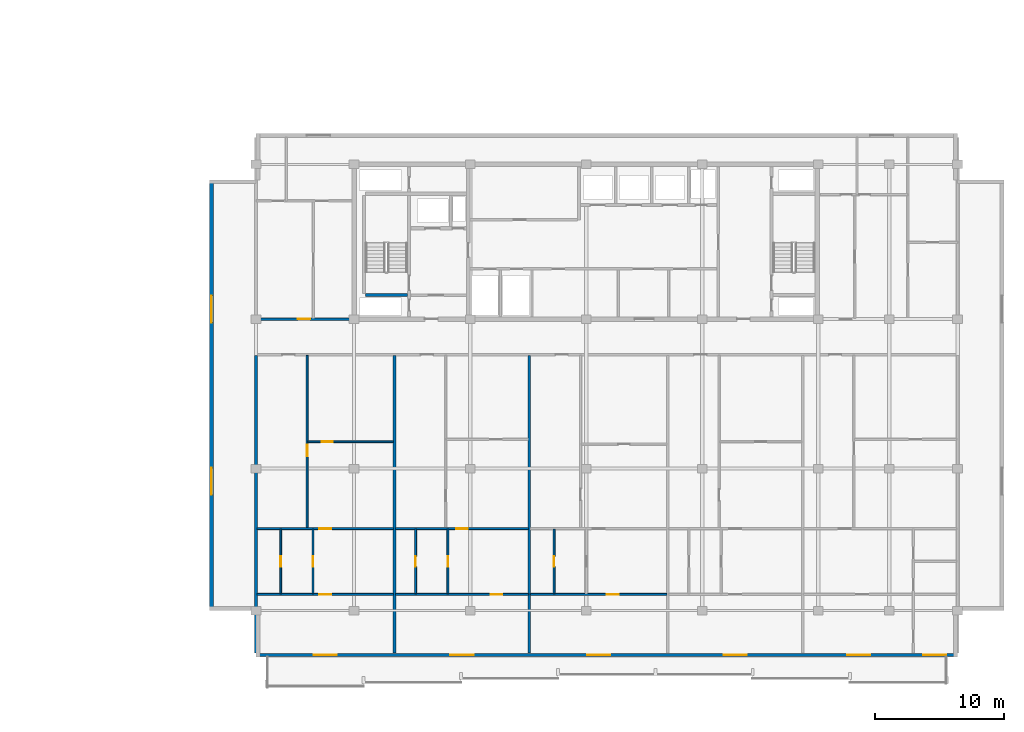
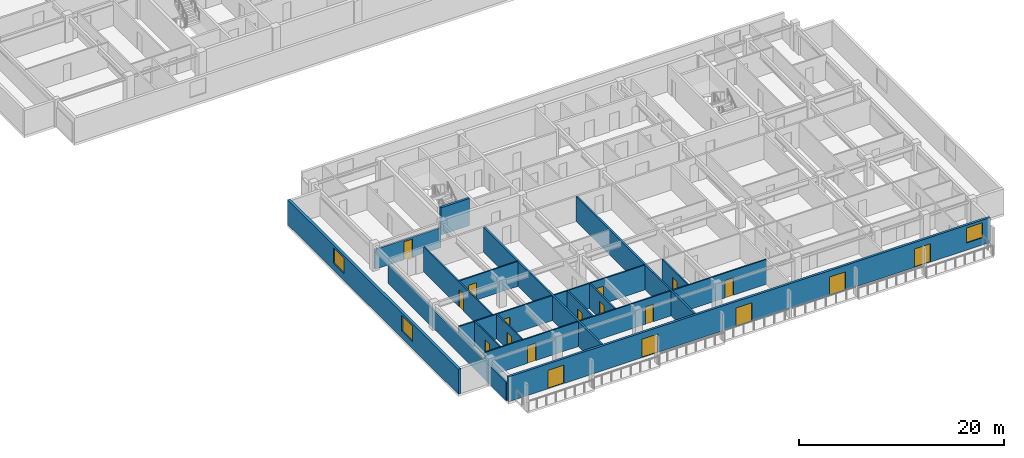
# One storey, part 4 of 21: 19 walls, 18 doors, 3 windows, 21 openings.
"""IFC4 building model written with IfcOpenShell, lengths in metres."""

from ifc_helpers import new_model, si_unit, direction, frame, frame_2d, origin, place, context, subcontext, project, spatial, rectangle, extrude, material, layer, layer_set, type_object, element, fill, save


model = new_model("IFC4")

# Units and contexts
model_context = context("Model", 3, precision=1e-05, world=origin(), true_north=direction((0.0, 1.0)))
body_context = subcontext(model_context, "Body", "Model", "MODEL_VIEW")
ifc_project = project(units=[si_unit("LENGTHUNIT", "METRE"), si_unit("AREAUNIT", "SQUARE_METRE"), si_unit("VOLUMEUNIT", "CUBIC_METRE"), si_unit("PLANEANGLEUNIT", "RADIAN"), si_unit("MASSUNIT", "GRAM", prefix="KILO")], contexts=[model_context])

# Site, building, storey
site_placement = place(None, origin())
site = spatial("IfcSite", under=ifc_project, at=site_placement, CompositionType="ELEMENT")
building_placement = place(site_placement, origin())
building = spatial("IfcBuilding", under=site, at=building_placement, Name="Korimba Cascade Residences", CompositionType="ELEMENT")
storey_placement = place(building_placement, frame((0.0, 0.0, 175.10009765625)))
storey = spatial("IfcBuildingStorey", under=building, at=storey_placement, Name="L50", CompositionType="ELEMENT", Elevation=175.10009765625)

# Wall, openings, doors, window
ifc_material_1 = material(Name="Precast concrete C40/50", Category="concrete")
ifc_layer_1 = layer(ifc_material_1, 0.25)
ifc_layer_set_1 = layer_set([ifc_layer_1], Name="Precast concrete C40/50")
wall_type_1 = type_object("IfcWallType", Name="EW-LOG-250", PredefinedType="STANDARD", material=ifc_layer_set_1)
wall_1_placement = place(storey_placement, frame((74.5, -7.64990234375, 0.0), z_axis=(0.0, 0.0, 1.0), x_axis=(1.0, 0.0, 0.0)))
wall_1 = element("IfcWall", 1, at=wall_1_placement, inside=storey, type_object=wall_type_1, Name="L50 T2 Perimeter Stone Wall E00", PredefinedType="STANDARD", context=body_context, shape_type="SweptSolid", body=[
    extrude(rectangle(XDim=54.39990234375, YDim=0.25, at=frame_2d((27.199951171875, 0.0))), origin(), (0.0, 0.0, 1.0), 2.969970703125),
])
opening_1_placement = place(wall_1_placement, frame((4.470458984375, 0.0, 0.0)))
opening_1 = element("IfcOpeningElement", 2, at=opening_1_placement, cuts=wall_1, Name="Opening D-LG1", PredefinedType="OPENING", context=body_context, shape_type="SweptSolid", body=[
    extrude(rectangle(XDim=1.800048828125, YDim=2.199951171875, at=frame_2d((0.89990234375, 1.10009765625))), frame((0.0, 0.135009765625, 0.0), z_axis=(0.0, -1.0, 0.0), x_axis=(1.0, 0.0, 0.0)), (0.0, 0.0, 1.0), 0.27001953125),
])
opening_2_placement = place(wall_1_placement, frame((15.068359375, 0.0, 0.0)))
opening_2 = element("IfcOpeningElement", 3, at=opening_2_placement, cuts=wall_1, Name="Opening D-LG1", PredefinedType="OPENING", context=body_context, shape_type="SweptSolid", body=[
    extrude(rectangle(XDim=1.800048828125, YDim=2.199951171875, at=frame_2d((0.89990234375, 1.10009765625))), frame((0.0, 0.135009765625, 0.0), z_axis=(0.0, -1.0, 0.0), x_axis=(1.0, 0.0, 0.0)), (0.0, 0.0, 1.0), 0.27001953125),
])
opening_3_placement = place(wall_1_placement, frame((25.666259765625, 0.0, 0.0)))
opening_3 = element("IfcOpeningElement", 4, at=opening_3_placement, cuts=wall_1, Name="Opening D-LG1", PredefinedType="OPENING", context=body_context, shape_type="SweptSolid", body=[
    extrude(rectangle(XDim=1.800048828125, YDim=2.199951171875, at=frame_2d((0.89990234375, 1.10009765625))), frame((0.0, 0.135009765625, 0.0), z_axis=(0.0, -1.0, 0.0), x_axis=(1.0, 0.0, 0.0)), (0.0, 0.0, 1.0), 0.27001953125),
])
opening_4_placement = place(wall_1_placement, frame((36.264404296875, 0.0, 0.0)))
opening_4 = element("IfcOpeningElement", 5, at=opening_4_placement, cuts=wall_1, Name="Opening D-LG1", PredefinedType="OPENING", context=body_context, shape_type="SweptSolid", body=[
    extrude(rectangle(XDim=1.800048828125, YDim=2.199951171875, at=frame_2d((0.89990234375, 1.10009765625))), frame((0.0, 0.135009765625, 0.0), z_axis=(0.0, -1.0, 0.0), x_axis=(1.0, 0.0, 0.0)), (0.0, 0.0, 1.0), 0.27001953125),
])
opening_5_placement = place(wall_1_placement, frame((45.845947265625, 0.0, 0.0)))
opening_5 = element("IfcOpeningElement", 6, at=opening_5_placement, cuts=wall_1, Name="Opening D-LG1", PredefinedType="OPENING", context=body_context, shape_type="SweptSolid", body=[
    extrude(rectangle(XDim=1.800048828125, YDim=2.199951171875, at=frame_2d((0.89990234375, 1.10009765625))), frame((0.0, 0.135009765625, 0.0), z_axis=(0.0, -1.0, 0.0), x_axis=(1.0, 0.0, 0.0)), (0.0, 0.0, 1.0), 0.27001953125),
])
opening_6_placement = place(wall_1_placement, frame((51.72998046875, 0.0, 0.85009765625)))
opening_6 = element("IfcOpeningElement", 7, at=opening_6_placement, cuts=wall_1, Name="Opening W-02", PredefinedType="OPENING", context=body_context, shape_type="SweptSolid", body=[
    extrude(rectangle(XDim=1.800048828125, YDim=1.800048828125, at=frame_2d((0.89990234375, 0.89990234375))), frame((0.0, 0.135009765625, 0.0), z_axis=(0.0, -1.0, 0.0), x_axis=(1.0, 0.0, 0.0)), (0.0, 0.0, 1.0), 0.27001953125),
])
ifc_material_2 = material(Name="Glazed Aluminium Loggia Sliding Door", Category="aluminium")
door_type_1 = type_object("IfcDoorType", Name="DR-EXT-LOG", OperationType="NOTDEFINED", PredefinedType="DOOR", material=ifc_material_2)
door_1_placement = place(opening_1_placement, origin())
door_1 = element("IfcDoor", 8, at=door_1_placement, inside=storey, type_object=door_type_1, Name="L50 T2 Loggia Sliding Door 3", OperationType="SLIDING_TO_RIGHT", OverallHeight=2.199951171875, OverallWidth=1.800048828125, PredefinedType="DOOR", context=body_context, shape_type="SweptSolid", body=[
    extrude(rectangle(XDim=1.800048828125, YDim=2.199951171875, at=frame_2d((0.89990234375, 1.10009765625))), frame((0.0, 0.02490234375, 0.0), z_axis=(0.0, -1.0, 0.0), x_axis=(1.0, 0.0, 0.0)), (0.0, 0.0, 1.0), 0.050048828125),
])
fill(opening_1, door_1)
door_2_placement = place(opening_2_placement, origin())
door_2 = element("IfcDoor", 9, at=door_2_placement, inside=storey, type_object=door_type_1, Name="L50 T2 Loggia Sliding Door 4", OperationType="SLIDING_TO_RIGHT", OverallHeight=2.199951171875, OverallWidth=1.800048828125, PredefinedType="DOOR", context=body_context, shape_type="SweptSolid", body=[
    extrude(rectangle(XDim=1.800048828125, YDim=2.199951171875, at=frame_2d((0.89990234375, 1.10009765625))), frame((0.0, 0.02490234375, 0.0), z_axis=(0.0, -1.0, 0.0), x_axis=(1.0, 0.0, 0.0)), (0.0, 0.0, 1.0), 0.050048828125),
])
fill(opening_2, door_2)
door_3_placement = place(opening_3_placement, origin())
door_3 = element("IfcDoor", 10, at=door_3_placement, inside=storey, type_object=door_type_1, Name="L50 T2 Loggia Sliding Door 5", OperationType="SLIDING_TO_RIGHT", OverallHeight=2.199951171875, OverallWidth=1.800048828125, PredefinedType="DOOR", context=body_context, shape_type="SweptSolid", body=[
    extrude(rectangle(XDim=1.800048828125, YDim=2.199951171875, at=frame_2d((0.89990234375, 1.10009765625))), frame((0.0, 0.02490234375, 0.0), z_axis=(0.0, -1.0, 0.0), x_axis=(1.0, 0.0, 0.0)), (0.0, 0.0, 1.0), 0.050048828125),
])
fill(opening_3, door_3)
door_4_placement = place(opening_4_placement, origin())
door_4 = element("IfcDoor", 11, at=door_4_placement, inside=storey, type_object=door_type_1, Name="L50 T2 Loggia Sliding Door 6", OperationType="SLIDING_TO_RIGHT", OverallHeight=2.199951171875, OverallWidth=1.800048828125, PredefinedType="DOOR", context=body_context, shape_type="SweptSolid", body=[
    extrude(rectangle(XDim=1.800048828125, YDim=2.199951171875, at=frame_2d((0.89990234375, 1.10009765625))), frame((0.0, 0.02490234375, 0.0), z_axis=(0.0, -1.0, 0.0), x_axis=(1.0, 0.0, 0.0)), (0.0, 0.0, 1.0), 0.050048828125),
])
fill(opening_4, door_4)
door_5_placement = place(opening_5_placement, origin())
door_5 = element("IfcDoor", 12, at=door_5_placement, inside=storey, type_object=door_type_1, Name="L50 T2 Loggia Sliding Door 7", OperationType="SLIDING_TO_RIGHT", OverallHeight=2.199951171875, OverallWidth=1.800048828125, PredefinedType="DOOR", context=body_context, shape_type="SweptSolid", body=[
    extrude(rectangle(XDim=1.800048828125, YDim=2.199951171875, at=frame_2d((0.89990234375, 1.10009765625))), frame((0.0, 0.02490234375, 0.0), z_axis=(0.0, -1.0, 0.0), x_axis=(1.0, 0.0, 0.0)), (0.0, 0.0, 1.0), 0.050048828125),
])
fill(opening_5, door_5)
ifc_material_3 = material(Name="Double-Glazed Aluminium Window", Category="aluminium")
window_type_1 = type_object("IfcWindowType", Name="WIN-BED-1800", PartitioningType="SINGLE_PANEL", PredefinedType="WINDOW", material=ifc_material_3)
window_1_placement = place(opening_6_placement, origin())
window_1 = element("IfcWindow", 13, at=window_1_placement, inside=storey, type_object=window_type_1, Name="L50 T2 South Facade Window 8", OverallHeight=1.800048828125, OverallWidth=1.800048828125, PartitioningType="SINGLE_PANEL", PredefinedType="WINDOW", context=body_context, shape_type="SweptSolid", body=[
    extrude(rectangle(XDim=1.800048828125, YDim=1.800048828125, at=frame_2d((0.89990234375, 0.89990234375))), frame((0.0, 0.030029296875, 0.0), z_axis=(0.0, -1.0, 0.0), x_axis=(1.0, 0.0, 0.0)), (0.0, 0.0, 1.0), 0.06005859375),
])
fill(opening_6, window_1)

# Wall, openings, windows
ifc_layer_2 = layer(ifc_material_1, 0.300048828125)
ifc_layer_set_2 = layer_set([ifc_layer_2], Name="Precast concrete C40/50")
wall_type_2 = type_object("IfcWallType", Name="EW-STONE-300", PredefinedType="STANDARD", material=ifc_layer_set_2)
wall_2_placement = place(storey_placement, frame((71.050048828125, 29.199951171875, 0.0), z_axis=(0.0, 0.0, 1.0), x_axis=(0.0, -1.0, 0.0)))
wall_2 = element("IfcWall", 14, at=wall_2_placement, inside=storey, type_object=wall_type_2, Name="L50 T2 Perimeter Stone Wall E09", PredefinedType="STANDARD", context=body_context, shape_type="SweptSolid", body=[
    extrude(rectangle(XDim=33.39990234375, YDim=0.300048828125, at=frame_2d((16.699951171875, 0.0))), origin(), (0.0, 0.0, 1.0), 2.969970703125),
])
opening_7_placement = place(wall_2_placement, frame((8.969970703125, 0.0, 0.85009765625)))
opening_7 = element("IfcOpeningElement", 15, at=opening_7_placement, cuts=wall_2, Name="Opening W-03", PredefinedType="OPENING", context=body_context, shape_type="SweptSolid", body=[
    extrude(rectangle(XDim=2.10009765625, YDim=1.85009765625, at=frame_2d((1.050048828125, 0.925048828125))), frame((0.0, 0.16015625, 0.0), z_axis=(0.0, -1.0, 0.0), x_axis=(1.0, 0.0, 0.0)), (0.0, 0.0, 1.0), 0.320068359375),
])
opening_8_placement = place(wall_2_placement, frame((22.330078125, 0.0, 0.85009765625)))
opening_8 = element("IfcOpeningElement", 16, at=opening_8_placement, cuts=wall_2, Name="Opening W-03", PredefinedType="OPENING", context=body_context, shape_type="SweptSolid", body=[
    extrude(rectangle(XDim=2.10009765625, YDim=1.85009765625, at=frame_2d((1.050048828125, 0.925048828125))), frame((0.0, 0.16015625, 0.0), z_axis=(0.0, -1.0, 0.0), x_axis=(1.0, 0.0, 0.0)), (0.0, 0.0, 1.0), 0.320068359375),
])
window_type_2 = type_object("IfcWindowType", Name="WIN-CRN-2100", PartitioningType="DOUBLE_PANEL_HORIZONTAL", PredefinedType="WINDOW", material=ifc_material_3)
window_2_placement = place(opening_7_placement, origin())
window_2 = element("IfcWindow", 17, at=window_2_placement, inside=storey, type_object=window_type_2, Name="L50 T2 End View Window 9.1", OverallHeight=1.85009765625, OverallWidth=2.10009765625, PartitioningType="DOUBLE_PANEL_HORIZONTAL", PredefinedType="WINDOW", context=body_context, shape_type="SweptSolid", body=[
    extrude(rectangle(XDim=2.10009765625, YDim=1.85009765625, at=frame_2d((1.050048828125, 0.925048828125))), frame((0.0, 0.030029296875, 0.0), z_axis=(0.0, -1.0, 0.0), x_axis=(1.0, 0.0, 0.0)), (0.0, 0.0, 1.0), 0.06005859375),
])
fill(opening_7, window_2)
window_3_placement = place(opening_8_placement, origin())
window_3 = element("IfcWindow", 18, at=window_3_placement, inside=storey, type_object=window_type_2, Name="L50 T2 End View Window 9.2", OverallHeight=1.85009765625, OverallWidth=2.10009765625, PartitioningType="DOUBLE_PANEL_HORIZONTAL", PredefinedType="WINDOW", context=body_context, shape_type="SweptSolid", body=[
    extrude(rectangle(XDim=2.10009765625, YDim=1.85009765625, at=frame_2d((1.050048828125, 0.925048828125))), frame((0.0, 0.030029296875, 0.0), z_axis=(0.0, -1.0, 0.0), x_axis=(1.0, 0.0, 0.0)), (0.0, 0.0, 1.0), 0.06005859375),
])
fill(opening_8, window_3)

# Wall, opening, door
ifc_layer_3 = layer(ifc_material_1, 0.199951171875)
ifc_layer_set_3 = layer_set([ifc_layer_3], Name="Precast concrete C40/50")
wall_type_3 = type_object("IfcWallType", Name="WAL-IT-200", PredefinedType="PARTITIONING", material=ifc_layer_set_3)
wall_3_placement = place(storey_placement, frame((74.5, 18.39990234375, 0.0), z_axis=(0.0, 0.0, 1.0), x_axis=(1.0, 0.0, 0.0)))
wall_3 = element("IfcWall", 19, at=wall_3_placement, inside=storey, type_object=wall_type_3, Name="L50 Partition Wall WAL-L50-T2-FW-S", PredefinedType="PARTITIONING", context=body_context, shape_type="SweptSolid", body=[
    extrude(rectangle(XDim=7.449951171875, YDim=0.199951171875, at=frame_2d((3.72509765625, 0.0))), origin(), (0.0, 0.0, 1.0), 2.357666015625),
])
opening_9_placement = place(wall_3_placement, frame((3.25, 0.0, 0.0)))
opening_9 = element("IfcOpeningElement", 20, at=opening_9_placement, cuts=wall_3, Name="Opening D-UN1", PredefinedType="OPENING", context=body_context, shape_type="SweptSolid", body=[
    extrude(rectangle(XDim=0.949951171875, YDim=2.14990234375, at=frame_2d((0.47509765625, 1.074951171875))), frame((0.0, 0.10986328125, 0.0), z_axis=(0.0, -1.0, 0.0), x_axis=(1.0, 0.0, 0.0)), (0.0, 0.0, 1.0), 0.219970703125),
])
ifc_material_4 = material(Name="Fire-Rated Hardwood Apartment Entrance Door", Category="wood")
door_type_2 = type_object("IfcDoorType", Name="DR-FD60-950", OperationType="NOTDEFINED", PredefinedType="DOOR", material=ifc_material_4)
door_6_placement = place(opening_9_placement, origin())
door_6 = element("IfcDoor", 21, at=door_6_placement, inside=storey, type_object=door_type_2, Name="L50-T2-FW Entrance Door", OperationType="SINGLE_SWING_LEFT", OverallHeight=2.14990234375, OverallWidth=0.949951171875, PredefinedType="DOOR", context=body_context, shape_type="SweptSolid", body=[
    extrude(rectangle(XDim=0.949951171875, YDim=2.14990234375, at=frame_2d((0.47509765625, 1.074951171875))), frame((0.0, 0.02490234375, 0.0), z_axis=(0.0, -1.0, 0.0), x_axis=(1.0, 0.0, 0.0)), (0.0, 0.0, 1.0), 0.050048828125),
])
fill(opening_9, door_6)

# Walls
wall_4_placement = place(storey_placement, frame((74.5, -7.5, 0.0), z_axis=(0.0, 0.0, 1.0), x_axis=(0.0, 1.0, 0.0)))
element("IfcWall", 22, at=wall_4_placement, inside=storey, type_object=wall_type_3, Name="L50 Partition Wall WAL-L50-T2-BNDWL", PredefinedType="PARTITIONING", context=body_context, shape_type="SweptSolid", body=[
    extrude(rectangle(XDim=23.070068359375, YDim=0.199951171875, at=frame_2d((11.53515625, 0.0))), origin(), (0.0, 0.0, 1.0), 2.2001953125),
])
for number, where, z_axis, x_axis, name in (
    (23, (85.240966796875, -7.5, 0.0), (0.0, 0.0, 1.0), (0.0, 1.0, 0.0), "L50 Partition Wall WAL-L50-T2-DEM-1"),
    (24, (95.69580078125, -7.5, 0.0), (0.0, 0.0, 1.0), (0.0, 1.0, 0.0), "L50 Partition Wall WAL-L50-T2-DEM-2"),
):
    element("IfcWall", number, at=place(storey_placement, frame(where, z_axis=z_axis, x_axis=x_axis)), inside=storey, type_object=wall_type_3, Name=name, PredefinedType="PARTITIONING", context=body_context, shape_type="SweptSolid", body=[
        extrude(rectangle(XDim=23.070068359375, YDim=0.199951171875, at=frame_2d((11.53515625, 0.0))), origin(), (0.0, 0.0, 1.0), 2.969970703125),
    ])

# Wall, opening, door
ifc_material_5 = material(Name="Insulated Acoustic Stud Partition", Category="gypsum")
ifc_layer_4 = layer(ifc_material_5, 0.14990234375)
ifc_layer_set_4 = layer_set([ifc_layer_4], Name="Insulated Acoustic Stud Partition")
wall_type_4 = type_object("IfcWallType", Name="WAL-PART-150", PredefinedType="PARTITIONING", material=ifc_layer_set_4)
wall_5_placement = place(storey_placement, frame((78.530029296875, 8.889892578125, 0.0), z_axis=(0.0, 0.0, 1.0), x_axis=(1.0, 0.0, 0.0)))
wall_5 = element("IfcWall", 25, at=wall_5_placement, inside=storey, type_object=wall_type_4, Name="L50 Partition Wall WAL-L50-T2-U01-FMH", PredefinedType="PARTITIONING", context=body_context, shape_type="SweptSolid", body=[
    extrude(rectangle(XDim=6.630859375, YDim=0.14990234375, at=frame_2d((3.3154296875, 0.0))), origin(), (0.0, 0.0, 1.0), 2.969970703125),
])
opening_10_placement = place(wall_5_placement, frame((1.05712890625, 0.0, 0.0)))
opening_10 = element("IfcOpeningElement", 26, at=opening_10_placement, cuts=wall_5, Name="Opening D-IN2", PredefinedType="OPENING", context=body_context, shape_type="SweptSolid", body=[
    extrude(rectangle(XDim=0.8798828125, YDim=2.06005859375, at=frame_2d((0.43994140625, 1.030029296875))), frame((0.0, 0.0849609375, 0.0), z_axis=(0.0, -1.0, 0.0), x_axis=(1.0, 0.0, 0.0)), (0.0, 0.0, 1.0), 0.169921875),
])
ifc_material_6 = material(Name="Acoustic Timber Bedroom Door", Category="wood")
door_type_3 = type_object("IfcDoorType", Name="DR-INT-880", OperationType="NOTDEFINED", PredefinedType="DOOR", material=ifc_material_6)
door_7_placement = place(opening_10_placement, origin())
door_7 = element("IfcDoor", 27, at=door_7_placement, inside=storey, type_object=door_type_3, Name="L50-T2-U01 Library Salon Door", OperationType="SINGLE_SWING_RIGHT", OverallHeight=2.06005859375, OverallWidth=0.8798828125, PredefinedType="DOOR", context=body_context, shape_type="SweptSolid", body=[
    extrude(rectangle(XDim=0.8798828125, YDim=2.06005859375, at=frame_2d((0.43994140625, 1.030029296875))), frame((0.0, 0.02490234375, 0.0), z_axis=(0.0, -1.0, 0.0), x_axis=(1.0, 0.0, 0.0)), (0.0, 0.0, 1.0), 0.050048828125),
])
fill(opening_10, door_7)

wall_6_placement = place(storey_placement, frame((78.469970703125, 2.18994140625, 0.0), z_axis=(0.0, 0.0, 1.0), x_axis=(0.0, 1.0, 0.0)))
wall_6 = element("IfcWall", 28, at=wall_6_placement, inside=storey, type_object=wall_type_4, Name="L50 Partition Wall WAL-L50-T2-U01-FV", PredefinedType="PARTITIONING", context=body_context, shape_type="SweptSolid", body=[
    extrude(rectangle(XDim=13.400146484375, YDim=0.14990234375, at=frame_2d((6.7001953125, 0.0))), origin(), (0.0, 0.0, 1.0), 2.969970703125),
])
opening_11_placement = place(wall_6_placement, frame((5.570068359375, 0.0, 0.0)))
opening_11 = element("IfcOpeningElement", 29, at=opening_11_placement, cuts=wall_6, Name="Opening D-IN2", PredefinedType="OPENING", context=body_context, shape_type="SweptSolid", body=[
    extrude(rectangle(XDim=0.8798828125, YDim=2.06005859375, at=frame_2d((0.43994140625, 1.030029296875))), frame((0.0, 0.0849609375, 0.0), z_axis=(0.0, -1.0, 0.0), x_axis=(1.0, 0.0, 0.0)), (0.0, 0.0, 1.0), 0.169921875),
])
door_8_placement = place(opening_11_placement, origin())
door_8 = element("IfcDoor", 30, at=door_8_placement, inside=storey, type_object=door_type_3, Name="L50-T2-U01 Media Lounge Door", OperationType="SINGLE_SWING_LEFT", OverallHeight=2.06005859375, OverallWidth=0.8798828125, PredefinedType="DOOR", context=body_context, shape_type="SweptSolid", body=[
    extrude(rectangle(XDim=0.8798828125, YDim=2.06005859375, at=frame_2d((0.43994140625, 1.030029296875))), frame((0.0, 0.02490234375, 0.0), z_axis=(0.0, -1.0, 0.0), x_axis=(1.0, 0.0, 0.0)), (0.0, 0.0, 1.0), 0.050048828125),
])
fill(opening_11, door_8)

wall_7_placement = place(storey_placement, frame((76.4208984375, -2.889892578125, 0.0), z_axis=(0.0, 0.0, 1.0), x_axis=(0.0, 1.0, 0.0)))
wall_7 = element("IfcWall", 31, at=wall_7_placement, inside=storey, type_object=wall_type_4, Name="L50 Partition Wall WAL-L50-T2-U01-CLS", PredefinedType="PARTITIONING", context=body_context, shape_type="SweptSolid", body=[
    extrude(rectangle(XDim=5.0, YDim=0.14990234375, at=frame_2d((2.5, 0.0))), origin(), (0.0, 0.0, 1.0), 2.969970703125),
])
opening_12_placement = place(wall_7_placement, frame((2.080078125, 0.0, 0.0)))
opening_12 = element("IfcOpeningElement", 32, at=opening_12_placement, cuts=wall_7, Name="Opening D-BT1", PredefinedType="OPENING", context=body_context, shape_type="SweptSolid", body=[
    extrude(rectangle(XDim=0.840087890625, YDim=2.0400390625, at=frame_2d((0.419921875, 1.02001953125))), frame((0.0, 0.0849609375, 0.0), z_axis=(0.0, -1.0, 0.0), x_axis=(1.0, 0.0, 0.0)), (0.0, 0.0, 1.0), 0.169921875),
])
ifc_material_7 = material(Name="Moisture-Resistant Bathroom Timber Door", Category="wood")
door_type_4 = type_object("IfcDoorType", Name="DR-INT-850", OperationType="NOTDEFINED", PredefinedType="DOOR", material=ifc_material_7)
door_9_placement = place(opening_12_placement, origin())
door_9 = element("IfcDoor", 33, at=door_9_placement, inside=storey, type_object=door_type_4, Name="L50-T2-U01 Closet Door", OperationType="SINGLE_SWING_RIGHT", OverallHeight=2.0400390625, OverallWidth=0.840087890625, PredefinedType="DOOR", context=body_context, shape_type="SweptSolid", body=[
    extrude(rectangle(XDim=0.840087890625, YDim=2.0400390625, at=frame_2d((0.419921875, 1.02001953125))), frame((0.0, 0.02490234375, 0.0), z_axis=(0.0, -1.0, 0.0), x_axis=(1.0, 0.0, 0.0)), (0.0, 0.0, 1.0), 0.050048828125),
])
fill(opening_12, door_9)

wall_8_placement = place(storey_placement, frame((78.9208984375, -2.889892578125, 0.0), z_axis=(0.0, 0.0, 1.0), x_axis=(0.0, 1.0, 0.0)))
wall_8 = element("IfcWall", 34, at=wall_8_placement, inside=storey, type_object=wall_type_4, Name="L50 Partition Wall WAL-L50-T2-U01-BM", PredefinedType="PARTITIONING", context=body_context, shape_type="SweptSolid", body=[
    extrude(rectangle(XDim=5.0, YDim=0.14990234375, at=frame_2d((2.5, 0.0))), origin(), (0.0, 0.0, 1.0), 2.969970703125),
])
opening_13_placement = place(wall_8_placement, frame((2.080078125, 0.0, 0.0)))
opening_13 = element("IfcOpeningElement", 35, at=opening_13_placement, cuts=wall_8, Name="Opening D-BT1", PredefinedType="OPENING", context=body_context, shape_type="SweptSolid", body=[
    extrude(rectangle(XDim=0.840087890625, YDim=2.0400390625, at=frame_2d((0.419921875, 1.02001953125))), frame((0.0, 0.0849609375, 0.0), z_axis=(0.0, -1.0, 0.0), x_axis=(1.0, 0.0, 0.0)), (0.0, 0.0, 1.0), 0.169921875),
])
door_10_placement = place(opening_13_placement, origin())
door_10 = element("IfcDoor", 36, at=door_10_placement, inside=storey, type_object=door_type_4, Name="L50-T2-U01 Bathroom Door", OperationType="SINGLE_SWING_LEFT", OverallHeight=2.0400390625, OverallWidth=0.840087890625, PredefinedType="DOOR", context=body_context, shape_type="SweptSolid", body=[
    extrude(rectangle(XDim=0.840087890625, YDim=2.0400390625, at=frame_2d((0.419921875, 1.02001953125))), frame((0.0, 0.02490234375, 0.0), z_axis=(0.0, -1.0, 0.0), x_axis=(1.0, 0.0, 0.0)), (0.0, 0.0, 1.0), 0.050048828125),
])
fill(opening_13, door_10)

wall_9_placement = place(storey_placement, frame((74.580078125, 2.14990234375, 0.0), z_axis=(0.0, 0.0, 1.0), x_axis=(1.0, 0.0, 0.0)))
wall_9 = element("IfcWall", 37, at=wall_9_placement, inside=storey, type_object=wall_type_4, Name="L50 Partition Wall WAL-L50-T2-U01-MW", PredefinedType="PARTITIONING", context=body_context, shape_type="SweptSolid", body=[
    extrude(rectangle(XDim=10.580810546875, YDim=0.14990234375, at=frame_2d((5.29052734375, 0.0))), origin(), (0.0, 0.0, 1.0), 2.969970703125),
])
opening_14_placement = place(wall_9_placement, frame((4.830322265625, 0.0, 0.0)))
opening_14 = element("IfcOpeningElement", 38, at=opening_14_placement, cuts=wall_9, Name="Opening D-IN1", PredefinedType="OPENING", context=body_context, shape_type="SweptSolid", body=[
    extrude(rectangle(XDim=0.919921875, YDim=2.080078125, at=frame_2d((0.4599609375, 1.0400390625))), frame((0.0, 0.0849609375, 0.0), z_axis=(0.0, -1.0, 0.0), x_axis=(1.0, 0.0, 0.0)), (0.0, 0.0, 1.0), 0.169921875),
])
ifc_material_8 = material(Name="Acoustic Timber Living Door", Category="wood")
door_type_5 = type_object("IfcDoorType", Name="DR-INT-920", OperationType="NOTDEFINED", PredefinedType="DOOR", material=ifc_material_8)
door_11_placement = place(opening_14_placement, origin())
door_11 = element("IfcDoor", 39, at=door_11_placement, inside=storey, type_object=door_type_5, Name="L50-T2-U01 Studio Kitchen Door", OperationType="SINGLE_SWING_RIGHT", OverallHeight=2.080078125, OverallWidth=0.919921875, PredefinedType="DOOR", context=body_context, shape_type="SweptSolid", body=[
    extrude(rectangle(XDim=0.919921875, YDim=2.080078125, at=frame_2d((0.4599609375, 1.0400390625))), frame((0.0, 0.02490234375, 0.0), z_axis=(0.0, -1.0, 0.0), x_axis=(1.0, 0.0, 0.0)), (0.0, 0.0, 1.0), 0.050048828125),
])
fill(opening_14, door_11)

wall_10_placement = place(storey_placement, frame((74.580078125, -2.949951171875, 0.0), z_axis=(0.0, 0.0, 1.0), x_axis=(1.0, 0.0, 0.0)))
wall_10 = element("IfcWall", 40, at=wall_10_placement, inside=storey, type_object=wall_type_4, Name="L50 Partition Wall WAL-L50-T2-U01-HZ", PredefinedType="PARTITIONING", context=body_context, shape_type="SweptSolid", body=[
    extrude(rectangle(XDim=10.580810546875, YDim=0.14990234375, at=frame_2d((5.29052734375, 0.0))), origin(), (0.0, 0.0, 1.0), 2.969970703125),
])
opening_15_placement = place(wall_10_placement, frame((4.830322265625, 0.0, 0.0)))
opening_15 = element("IfcOpeningElement", 41, at=opening_15_placement, cuts=wall_10, Name="Opening D-IN1", PredefinedType="OPENING", context=body_context, shape_type="SweptSolid", body=[
    extrude(rectangle(XDim=0.919921875, YDim=2.080078125, at=frame_2d((0.4599609375, 1.0400390625))), frame((0.0, 0.0849609375, 0.0), z_axis=(0.0, -1.0, 0.0), x_axis=(1.0, 0.0, 0.0)), (0.0, 0.0, 1.0), 0.169921875),
])
door_12_placement = place(opening_15_placement, origin())
door_12 = element("IfcDoor", 42, at=door_12_placement, inside=storey, type_object=door_type_5, Name="L50-T2-U01 Studio Door", OperationType="SINGLE_SWING_LEFT", OverallHeight=2.080078125, OverallWidth=0.919921875, PredefinedType="DOOR", context=body_context, shape_type="SweptSolid", body=[
    extrude(rectangle(XDim=0.919921875, YDim=2.080078125, at=frame_2d((0.4599609375, 1.0400390625))), frame((0.0, 0.02490234375, 0.0), z_axis=(0.0, -1.0, 0.0), x_axis=(1.0, 0.0, 0.0)), (0.0, 0.0, 1.0), 0.050048828125),
])
fill(opening_15, door_12)

wall_11_placement = place(storey_placement, frame((86.8759765625, -2.889892578125, 0.0), z_axis=(0.0, 0.0, 1.0), x_axis=(0.0, 1.0, 0.0)))
wall_11 = element("IfcWall", 43, at=wall_11_placement, inside=storey, type_object=wall_type_4, Name="L50 Partition Wall WAL-L50-T2-U02-CLS", PredefinedType="PARTITIONING", context=body_context, shape_type="SweptSolid", body=[
    extrude(rectangle(XDim=5.0, YDim=0.14990234375, at=frame_2d((2.5, 0.0))), origin(), (0.0, 0.0, 1.0), 2.969970703125),
])
opening_16_placement = place(wall_11_placement, frame((2.080078125, 0.0, 0.0)))
opening_16 = element("IfcOpeningElement", 44, at=opening_16_placement, cuts=wall_11, Name="Opening D-BT1", PredefinedType="OPENING", context=body_context, shape_type="SweptSolid", body=[
    extrude(rectangle(XDim=0.840087890625, YDim=2.0400390625, at=frame_2d((0.419921875, 1.02001953125))), frame((0.0, 0.0849609375, 0.0), z_axis=(0.0, -1.0, 0.0), x_axis=(1.0, 0.0, 0.0)), (0.0, 0.0, 1.0), 0.169921875),
])
door_13_placement = place(opening_16_placement, origin())
door_13 = element("IfcDoor", 45, at=door_13_placement, inside=storey, type_object=door_type_4, Name="L50-T2-U02 Closet Door", OperationType="SINGLE_SWING_RIGHT", OverallHeight=2.0400390625, OverallWidth=0.840087890625, PredefinedType="DOOR", context=body_context, shape_type="SweptSolid", body=[
    extrude(rectangle(XDim=0.840087890625, YDim=2.0400390625, at=frame_2d((0.419921875, 1.02001953125))), frame((0.0, 0.02490234375, 0.0), z_axis=(0.0, -1.0, 0.0), x_axis=(1.0, 0.0, 0.0)), (0.0, 0.0, 1.0), 0.050048828125),
])
fill(opening_16, door_13)

wall_12_placement = place(storey_placement, frame((89.3759765625, -2.889892578125, 0.0), z_axis=(0.0, 0.0, 1.0), x_axis=(0.0, 1.0, 0.0)))
wall_12 = element("IfcWall", 46, at=wall_12_placement, inside=storey, type_object=wall_type_4, Name="L50 Partition Wall WAL-L50-T2-U02-BM", PredefinedType="PARTITIONING", context=body_context, shape_type="SweptSolid", body=[
    extrude(rectangle(XDim=5.0, YDim=0.14990234375, at=frame_2d((2.5, 0.0))), origin(), (0.0, 0.0, 1.0), 2.969970703125),
])
opening_17_placement = place(wall_12_placement, frame((2.080078125, 0.0, 0.0)))
opening_17 = element("IfcOpeningElement", 47, at=opening_17_placement, cuts=wall_12, Name="Opening D-BT1", PredefinedType="OPENING", context=body_context, shape_type="SweptSolid", body=[
    extrude(rectangle(XDim=0.840087890625, YDim=2.0400390625, at=frame_2d((0.419921875, 1.02001953125))), frame((0.0, 0.0849609375, 0.0), z_axis=(0.0, -1.0, 0.0), x_axis=(1.0, 0.0, 0.0)), (0.0, 0.0, 1.0), 0.169921875),
])
door_14_placement = place(opening_17_placement, origin())
door_14 = element("IfcDoor", 48, at=door_14_placement, inside=storey, type_object=door_type_4, Name="L50-T2-U02 Bathroom Door", OperationType="SINGLE_SWING_LEFT", OverallHeight=2.0400390625, OverallWidth=0.840087890625, PredefinedType="DOOR", context=body_context, shape_type="SweptSolid", body=[
    extrude(rectangle(XDim=0.840087890625, YDim=2.0400390625, at=frame_2d((0.419921875, 1.02001953125))), frame((0.0, 0.02490234375, 0.0), z_axis=(0.0, -1.0, 0.0), x_axis=(1.0, 0.0, 0.0)), (0.0, 0.0, 1.0), 0.050048828125),
])
fill(opening_17, door_14)

wall_13_placement = place(storey_placement, frame((85.32080078125, 2.14990234375, 0.0), z_axis=(0.0, 0.0, 1.0), x_axis=(1.0, 0.0, 0.0)))
wall_13 = element("IfcWall", 49, at=wall_13_placement, inside=storey, type_object=wall_type_4, Name="L50 Partition Wall WAL-L50-T2-U02-MW", PredefinedType="PARTITIONING", context=body_context, shape_type="SweptSolid", body=[
    extrude(rectangle(XDim=10.295166015625, YDim=0.14990234375, at=frame_2d((5.1474609375, 0.0))), origin(), (0.0, 0.0, 1.0), 2.969970703125),
])
opening_18_placement = place(wall_13_placement, frame((4.6875, 0.0, 0.0)))
opening_18 = element("IfcOpeningElement", 50, at=opening_18_placement, cuts=wall_13, Name="Opening D-IN1", PredefinedType="OPENING", context=body_context, shape_type="SweptSolid", body=[
    extrude(rectangle(XDim=0.919921875, YDim=2.080078125, at=frame_2d((0.4599609375, 1.0400390625))), frame((0.0, 0.0849609375, 0.0), z_axis=(0.0, -1.0, 0.0), x_axis=(1.0, 0.0, 0.0)), (0.0, 0.0, 1.0), 0.169921875),
])
door_15_placement = place(opening_18_placement, origin())
door_15 = element("IfcDoor", 51, at=door_15_placement, inside=storey, type_object=door_type_5, Name="L50-T2-U02 Studio Kitchen Door", OperationType="SINGLE_SWING_RIGHT", OverallHeight=2.080078125, OverallWidth=0.919921875, PredefinedType="DOOR", context=body_context, shape_type="SweptSolid", body=[
    extrude(rectangle(XDim=0.919921875, YDim=2.080078125, at=frame_2d((0.4599609375, 1.0400390625))), frame((0.0, 0.02490234375, 0.0), z_axis=(0.0, -1.0, 0.0), x_axis=(1.0, 0.0, 0.0)), (0.0, 0.0, 1.0), 0.050048828125),
])
fill(opening_18, door_15)

wall_14_placement = place(storey_placement, frame((85.32080078125, -2.949951171875, 0.0), z_axis=(0.0, 0.0, 1.0), x_axis=(1.0, 0.0, 0.0)))
wall_14 = element("IfcWall", 52, at=wall_14_placement, inside=storey, type_object=wall_type_4, Name="L50 Partition Wall WAL-L50-T2-U02-HZ", PredefinedType="PARTITIONING", context=body_context, shape_type="SweptSolid", body=[
    extrude(rectangle(XDim=10.295166015625, YDim=0.14990234375, at=frame_2d((5.1474609375, 0.0))), origin(), (0.0, 0.0, 1.0), 2.969970703125),
])
opening_19_placement = place(wall_14_placement, frame((7.3642578125, 0.0, 0.0)))
opening_19 = element("IfcOpeningElement", 53, at=opening_19_placement, cuts=wall_14, Name="Opening D-IN1", PredefinedType="OPENING", context=body_context, shape_type="SweptSolid", body=[
    extrude(rectangle(XDim=0.919921875, YDim=2.080078125, at=frame_2d((0.4599609375, 1.0400390625))), frame((0.0, 0.0849609375, 0.0), z_axis=(0.0, -1.0, 0.0), x_axis=(1.0, 0.0, 0.0)), (0.0, 0.0, 1.0), 0.169921875),
])
door_16_placement = place(opening_19_placement, origin())
door_16 = element("IfcDoor", 54, at=door_16_placement, inside=storey, type_object=door_type_5, Name="L50-T2-U02 Studio Door", OperationType="SINGLE_SWING_LEFT", OverallHeight=2.080078125, OverallWidth=0.919921875, PredefinedType="DOOR", context=body_context, shape_type="SweptSolid", body=[
    extrude(rectangle(XDim=0.919921875, YDim=2.080078125, at=frame_2d((0.4599609375, 1.0400390625))), frame((0.0, 0.02490234375, 0.0), z_axis=(0.0, -1.0, 0.0), x_axis=(1.0, 0.0, 0.0)), (0.0, 0.0, 1.0), 0.050048828125),
])
fill(opening_19, door_16)

wall_15_placement = place(storey_placement, frame((97.61669921875, -2.889892578125, 0.0), z_axis=(0.0, 0.0, 1.0), x_axis=(0.0, 1.0, 0.0)))
wall_15 = element("IfcWall", 55, at=wall_15_placement, inside=storey, type_object=wall_type_4, Name="L50 Partition Wall WAL-L50-T2-U03-CLS", PredefinedType="PARTITIONING", context=body_context, shape_type="SweptSolid", body=[
    extrude(rectangle(XDim=5.0, YDim=0.14990234375, at=frame_2d((2.5, 0.0))), origin(), (0.0, 0.0, 1.0), 2.969970703125),
])
opening_20_placement = place(wall_15_placement, frame((2.080078125, 0.0, 0.0)))
opening_20 = element("IfcOpeningElement", 56, at=opening_20_placement, cuts=wall_15, Name="Opening D-BT1", PredefinedType="OPENING", context=body_context, shape_type="SweptSolid", body=[
    extrude(rectangle(XDim=0.840087890625, YDim=2.0400390625, at=frame_2d((0.419921875, 1.02001953125))), frame((0.0, 0.0849609375, 0.0), z_axis=(0.0, -1.0, 0.0), x_axis=(1.0, 0.0, 0.0)), (0.0, 0.0, 1.0), 0.169921875),
])
door_17_placement = place(opening_20_placement, origin())
door_17 = element("IfcDoor", 57, at=door_17_placement, inside=storey, type_object=door_type_4, Name="L50-T2-U03 Closet Door", OperationType="SINGLE_SWING_RIGHT", OverallHeight=2.0400390625, OverallWidth=0.840087890625, PredefinedType="DOOR", context=body_context, shape_type="SweptSolid", body=[
    extrude(rectangle(XDim=0.840087890625, YDim=2.0400390625, at=frame_2d((0.419921875, 1.02001953125))), frame((0.0, 0.02490234375, 0.0), z_axis=(0.0, -1.0, 0.0), x_axis=(1.0, 0.0, 0.0)), (0.0, 0.0, 1.0), 0.050048828125),
])
fill(opening_20, door_17)

wall_16_placement = place(storey_placement, frame((95.77587890625, -2.949951171875, 0.0), z_axis=(0.0, 0.0, 1.0), x_axis=(1.0, 0.0, 0.0)))
wall_16 = element("IfcWall", 58, at=wall_16_placement, inside=storey, type_object=wall_type_4, Name="L50 Partition Wall WAL-L50-T2-U03-HZ", PredefinedType="PARTITIONING", context=body_context, shape_type="SweptSolid", body=[
    extrude(rectangle(XDim=10.580810546875, YDim=0.14990234375, at=frame_2d((5.29052734375, 0.0))), origin(), (0.0, 0.0, 1.0), 2.969970703125),
])
opening_21_placement = place(wall_16_placement, frame((5.92919921875, 0.0, 0.0)))
opening_21 = element("IfcOpeningElement", 59, at=opening_21_placement, cuts=wall_16, Name="Opening D-IN1", PredefinedType="OPENING", context=body_context, shape_type="SweptSolid", body=[
    extrude(rectangle(XDim=0.919921875, YDim=2.080078125, at=frame_2d((0.4599609375, 1.0400390625))), frame((0.0, 0.0849609375, 0.0), z_axis=(0.0, -1.0, 0.0), x_axis=(1.0, 0.0, 0.0)), (0.0, 0.0, 1.0), 0.169921875),
])
door_18_placement = place(opening_21_placement, origin())
door_18 = element("IfcDoor", 60, at=door_18_placement, inside=storey, type_object=door_type_5, Name="L50-T2-U03 Studio Door", OperationType="SINGLE_SWING_LEFT", OverallHeight=2.080078125, OverallWidth=0.919921875, PredefinedType="DOOR", context=body_context, shape_type="SweptSolid", body=[
    extrude(rectangle(XDim=0.919921875, YDim=2.080078125, at=frame_2d((0.4599609375, 1.0400390625))), frame((0.0, 0.02490234375, 0.0), z_axis=(0.0, -1.0, 0.0), x_axis=(1.0, 0.0, 0.0)), (0.0, 0.0, 1.0), 0.050048828125),
])
fill(opening_21, door_18)

# Wall
ifc_material_9 = material(Name="Concrete C50/60", Category="concrete")
ifc_layer_5 = layer(ifc_material_9, 0.25)
ifc_layer_set_5 = layer_set([ifc_layer_5], Name="Concrete C50/60")
wall_type_5 = type_object("IfcWallType", Name="WAL-SHAFT-250", PredefinedType="SHEAR", material=ifc_layer_set_5)
wall_17_placement = place(storey_placement, frame((83.0, 20.27490234375, 0.0), z_axis=(0.0, 0.0, 1.0), x_axis=(1.0, 0.0, 0.0)))
element("IfcWall", 61, at=wall_17_placement, inside=storey, type_object=wall_type_5, Name="L50 Core Shear Wall CW-L50-T2-STE1S", PredefinedType="SHEAR", context=body_context, shape_type="SweptSolid", body=[
    extrude(rectangle(XDim=3.239990234375, YDim=0.25, at=frame_2d((1.6201171875, 0.0))), origin(), (0.0, 0.0, 1.0), 3.25),
])

save(model, "model.ifc")
